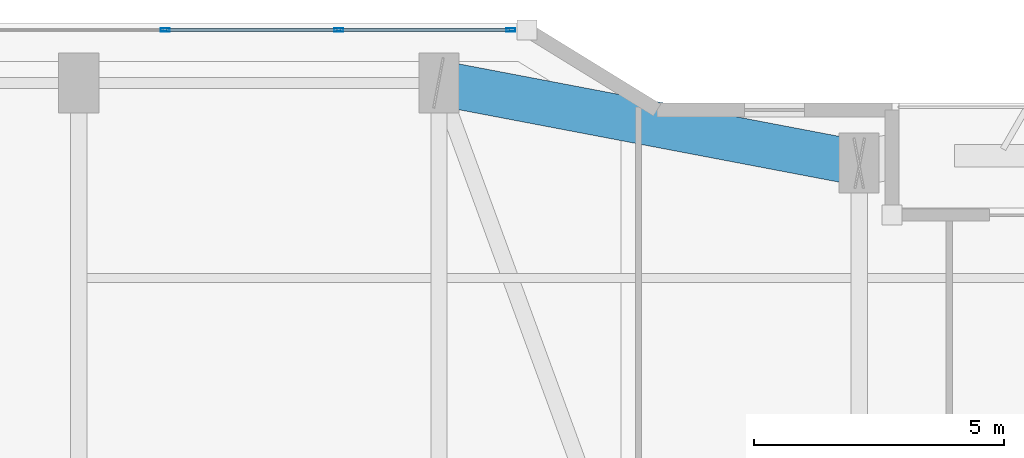
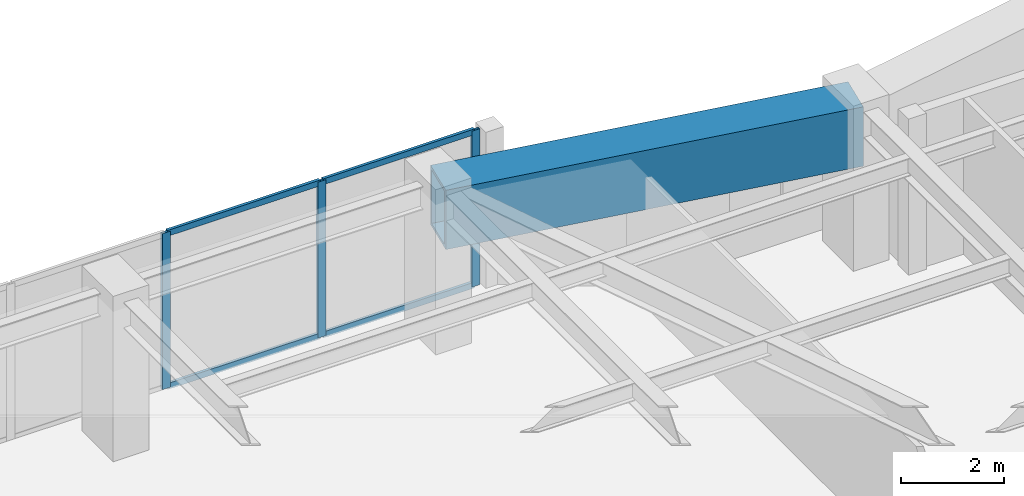
# One storey, part 19 of 30: 7 members, 1 beam, 1 element without a shape of its own.
"""IFC4 building model written with IfcOpenShell, lengths in metres."""

from ifc_helpers import new_model, si_unit, direction, frame, origin, origin_2d, place, context, subcontext, project, spatial, hollow_rectangle, extrude, material, layer, layer_set, material_profile, profile_set, type_object, element, aggregate, save


model = new_model("IFC4")

# Units and contexts
model_context = context("Model", 3, precision=1e-05, world=origin(), true_north=direction((0.0, 1.0)))
body_context = subcontext(model_context, "Body", "Model", "MODEL_VIEW")
ifc_project = project(units=[si_unit("LENGTHUNIT", "METRE"), si_unit("AREAUNIT", "SQUARE_METRE"), si_unit("VOLUMEUNIT", "CUBIC_METRE"), si_unit("PLANEANGLEUNIT", "RADIAN"), si_unit("MASSUNIT", "GRAM", prefix="KILO")], contexts=[model_context])

# Site, building, storey
site_placement = place(None, origin())
site = spatial("IfcSite", under=ifc_project, at=site_placement, CompositionType="ELEMENT")
building_placement = place(site_placement, origin())
building = spatial("IfcBuilding", under=site, at=building_placement, Name="Kiyonajd Concourse Tower", CompositionType="ELEMENT")
storey_placement = place(building_placement, frame((0.0, 0.0, 201.89990234375)))
storey = spatial("IfcBuildingStorey", under=building, at=storey_placement, Name="L51", CompositionType="ELEMENT", Elevation=201.89990234375)

# Beam
ifc_material_1 = material(Name="Steel ASTM A572 Grade 50", Category="steel")
ifc_material_profile_1 = material_profile(ifc_material_1, hollow_rectangle(XDim=0.89990234375, YDim=1.39990234375, WallThickness=0.070068359375, at=origin_2d()), Name="BOX-1400x900x70")
ifc_profile_set_1 = profile_set([ifc_material_profile_1], Name="Steel ASTM A572 Grade 50")
beam_type = type_object("IfcBeamType", Name="BM-XFER-1400", PredefinedType="BEAM", material=ifc_profile_set_1)
beam_placement = place(storey_placement, frame((48.0, 59.60009765625, 2.97998046875), z_axis=(-0.982341315253, 0.187097675953, 0.0), x_axis=(-0.187097675953, -0.982341315253, 0.0)))
element("IfcBeam", 1, at=beam_placement, inside=storey, type_object=beam_type, Name="L51 Perimeter Bundled Tube Spandrel", PredefinedType="BEAM", context=body_context, shape_type="SweptSolid", body=[
    extrude(hollow_rectangle(XDim=0.89990234375, YDim=1.39990234375, WallThickness=0.070068359375, at=origin_2d()), origin(), (0.0, 0.0, 1.0), 8.55078125),
])

# Curtain wall, members
ifc_material_2 = material(Name="Thermally Broken Anodised Aluminium", Category="aluminium")
ifc_layer = layer(ifc_material_2, 0.179931640625)
ifc_layer_set = layer_set([ifc_layer], Name="Thermally Broken Anodised Aluminium")
curtain_wall_type = type_object("IfcCurtainWallType", Name="CW-SYS-03", PredefinedType="NOTDEFINED", material=ifc_layer_set)
curtain_wall_placement = place(storey_placement, origin())
curtain_wall = element("IfcCurtainWall", 2, at=curtain_wall_placement, inside=storey, type_object=curtain_wall_type, Name="L51 Unitised Curtain Wall CW3", PredefinedType="NOTDEFINED")
ifc_material_profile_2 = material_profile(ifc_material_2, hollow_rectangle(XDim=0.06494140625, YDim=0.179931640625, WallThickness=0.00390625, at=origin_2d()), Name="MULL-65x180")
ifc_profile_set_2 = profile_set([ifc_material_profile_2], Name="Thermally Broken Anodised Aluminium")
member_type_1 = type_object("IfcMemberType", Name="MB-CW-MULL1", PredefinedType="MULLION", material=ifc_profile_set_2)
member_1_placement = place(storey_placement, frame((34.12548828125, 62.260009765625, 0.0), z_axis=(0.0, 0.0, 1.0), x_axis=(0.0, 1.0, 0.0)))
member_1 = element("IfcMember", 3, at=member_1_placement, type_object=member_type_1, Name="CW3 mullion 4", PredefinedType="MULLION", context=body_context, shape_type="SweptSolid", body=[
    extrude(hollow_rectangle(XDim=0.06494140625, YDim=0.179931640625, WallThickness=0.00390625, at=origin_2d()), origin(), (0.0, 0.0, 1.0), 3.68017578125),
])
member_2_placement = place(storey_placement, frame((37.597900390625, 62.260009765625, 0.0), z_axis=(0.0, 0.0, 1.0), x_axis=(0.0, 1.0, 0.0)))
member_2 = element("IfcMember", 4, at=member_2_placement, type_object=member_type_1, Name="CW3 mullion 5", PredefinedType="MULLION", context=body_context, shape_type="SweptSolid", body=[
    extrude(hollow_rectangle(XDim=0.06494140625, YDim=0.179931640625, WallThickness=0.00390625, at=origin_2d()), origin(), (0.0, 0.0, 1.0), 3.68017578125),
])
member_3_placement = place(storey_placement, frame((41.037841796875, 62.260009765625, 0.0), z_axis=(0.0, 0.0, 1.0), x_axis=(0.0, 1.0, 0.0)))
member_3 = element("IfcMember", 5, at=member_3_placement, type_object=member_type_1, Name="CW3 mullion 6", PredefinedType="MULLION", context=body_context, shape_type="SweptSolid", body=[
    extrude(hollow_rectangle(XDim=0.06494140625, YDim=0.179931640625, WallThickness=0.00390625, at=origin_2d()), origin(), (0.0, 0.0, 1.0), 3.68017578125),
])
ifc_material_profile_3 = material_profile(ifc_material_2, hollow_rectangle(XDim=0.06494140625, YDim=0.139892578125, WallThickness=0.00390625, at=origin_2d()), Name="TRAN-65x140")
ifc_profile_set_3 = profile_set([ifc_material_profile_3], Name="Thermally Broken Anodised Aluminium")
member_type_2 = type_object("IfcMemberType", Name="MB-CW-TRAN1", PredefinedType="USERDEFINED", material=ifc_profile_set_3)
member_4_placement = place(storey_placement, frame((34.158203125, 62.260009765625, 0.03271484375), z_axis=(1.0, 0.0, 0.0), x_axis=(0.0, 1.0, 0.0)))
member_4 = element("IfcMember", 6, at=member_4_placement, type_object=member_type_2, Name="CW3 transom 4.1", ObjectType="TRANSOM", PredefinedType="USERDEFINED", context=body_context, shape_type="SweptSolid", body=[
    extrude(hollow_rectangle(XDim=0.06494140625, YDim=0.139892578125, WallThickness=0.00390625, at=origin_2d()), origin(), (0.0, 0.0, 1.0), 3.4072265625),
])
member_5_placement = place(storey_placement, frame((34.158203125, 62.260009765625, 3.647705078125), z_axis=(1.0, 0.0, 0.0), x_axis=(0.0, 1.0, 0.0)))
member_5 = element("IfcMember", 7, at=member_5_placement, type_object=member_type_2, Name="CW3 transom 4.2", ObjectType="TRANSOM", PredefinedType="USERDEFINED", context=body_context, shape_type="SweptSolid", body=[
    extrude(hollow_rectangle(XDim=0.06494140625, YDim=0.139892578125, WallThickness=0.00390625, at=origin_2d()), origin(), (0.0, 0.0, 1.0), 3.4072265625),
])
member_6_placement = place(storey_placement, frame((37.630615234375, 62.260009765625, 0.03271484375), z_axis=(1.0, 0.0, 0.0), x_axis=(0.0, 1.0, 0.0)))
member_6 = element("IfcMember", 8, at=member_6_placement, type_object=member_type_2, Name="CW3 transom 5.1", ObjectType="TRANSOM", PredefinedType="USERDEFINED", context=body_context, shape_type="SweptSolid", body=[
    extrude(hollow_rectangle(XDim=0.06494140625, YDim=0.139892578125, WallThickness=0.00390625, at=origin_2d()), origin(), (0.0, 0.0, 1.0), 3.374755859375),
])
member_7_placement = place(storey_placement, frame((37.630615234375, 62.260009765625, 3.647705078125), z_axis=(1.0, 0.0, 0.0), x_axis=(0.0, 1.0, 0.0)))
member_7 = element("IfcMember", 9, at=member_7_placement, type_object=member_type_2, Name="CW3 transom 5.2", ObjectType="TRANSOM", PredefinedType="USERDEFINED", context=body_context, shape_type="SweptSolid", body=[
    extrude(hollow_rectangle(XDim=0.06494140625, YDim=0.139892578125, WallThickness=0.00390625, at=origin_2d()), origin(), (0.0, 0.0, 1.0), 3.374755859375),
])
aggregate(curtain_wall, [member_1, member_2, member_3, member_4, member_5, member_6, member_7])

save(model, "model.ifc")
